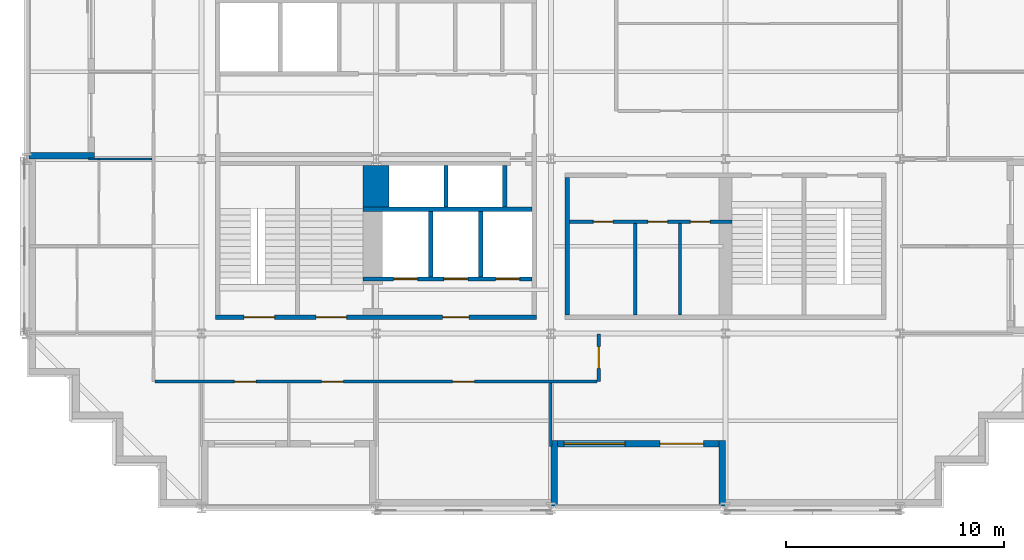
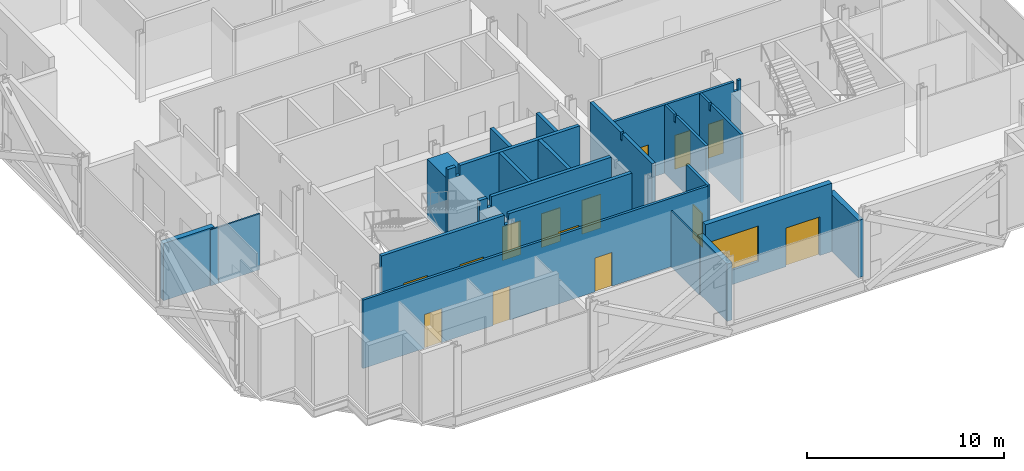
# One storey, part 6 of 14: 21 walls, 14 doors, 1 window, 15 openings.
"""IFC4 building model written with IfcOpenShell, lengths in metres."""

from ifc_helpers import new_model, si_unit, direction, frame, frame_2d, origin, place, context, subcontext, project, spatial, polyline, rectangle, outline, extrude, material, layer, layer_set, type_object, element, fill, save


model = new_model("IFC4")

# Units and contexts
model_context = context("Model", 3, precision=1e-05, world=origin(), true_north=direction((0.0, 1.0)))
body_context = subcontext(model_context, "Body", "Model", "MODEL_VIEW")
ifc_project = project(units=[si_unit("LENGTHUNIT", "METRE"), si_unit("AREAUNIT", "SQUARE_METRE"), si_unit("VOLUMEUNIT", "CUBIC_METRE"), si_unit("PLANEANGLEUNIT", "RADIAN"), si_unit("MASSUNIT", "GRAM", prefix="KILO")], contexts=[model_context])

# Site, building, storey
site_placement = place(None, origin())
site = spatial("IfcSite", under=ifc_project, at=site_placement, CompositionType="ELEMENT")
building_placement = place(site_placement, origin())
building = spatial("IfcBuilding", under=site, at=building_placement, Name="Immortelle Media Tower", CompositionType="ELEMENT")
storey_placement = place(building_placement, frame((0.0, 0.0, 96.39990234375)))
storey = spatial("IfcBuildingStorey", under=building, at=storey_placement, Name="L18", CompositionType="ELEMENT", Elevation=96.39990234375)

# Wall, openings, doors
ifc_material_1 = material(Name="Fire-rated gypsum board", Category="gypsum")
ifc_layer_1 = layer(ifc_material_1, 0.02490234375)
ifc_material_2 = material(Name="Steel ASTM A653 SS Gr 50 stud frame with mineral wool", Category="steel")
ifc_layer_2 = layer(ifc_material_2, 0.10009765625)
ifc_layer_3 = layer(ifc_material_1, 0.02490234375)
ifc_layer_set_1 = layer_set([ifc_layer_1, ifc_layer_2, ifc_layer_3], Name="Steel ASTM A653 SS Gr 50 stud frame with mineral wool")
wall_type_1 = type_object("IfcWallType", Name="Core partition 150", PredefinedType="PARTITIONING", material=ifc_layer_set_1)
wall_1_placement = place(storey_placement, frame((24.85009765625, 13.125, 0.0), z_axis=(0.0, 0.0, 1.0), x_axis=(1.0, 0.0, 0.0)))
wall_1 = element("IfcWall", 1, at=wall_1_placement, inside=storey, type_object=wall_type_1, Name="Core partition SE", PredefinedType="PARTITIONING", context=body_context, shape_type="SweptSolid", body=[
    extrude(outline(polyline([(0.0, 0.0), (7.449951171875, 0.0), (7.449951171875, 4.25), (7.26953125, 4.25), (7.2685546875, 3.632080078125), (7.031494140625, 3.632080078125), (7.030517578125, 4.25), (0.0, 4.25), (0.0, 0.0)])), frame((0.0, 0.074951171875, 0.0), z_axis=(0.0, -1.0, 0.0), x_axis=(1.0, 0.0, 0.0)), (0.0, 0.0, 1.0), 0.14990234375),
])
opening_1_placement = place(wall_1_placement, frame((2.0, 0.0, 0.0), z_axis=(0.0, 0.0, 1.0), x_axis=(-1.0, 0.0, 0.0)))
opening_1 = element("IfcOpeningElement", 2, at=opening_1_placement, cuts=wall_1, Name="Opening N6-K015", PredefinedType="OPENING", context=body_context, shape_type="SweptSolid", body=[
    extrude(rectangle(XDim=0.89990234375, YDim=2.10009765625, at=frame_2d((0.449951171875, 1.050048828125))), frame((0.0, 0.0849609375, 0.0), z_axis=(0.0, -1.0, 0.0), x_axis=(1.0, 0.0, 0.0)), (0.0, 0.0, 1.0), 0.169921875),
])
opening_2_placement = place(wall_1_placement, frame((4.5, 0.0, 0.0), z_axis=(0.0, 0.0, 1.0), x_axis=(-1.0, 0.0, 0.0)))
opening_2 = element("IfcOpeningElement", 3, at=opening_2_placement, cuts=wall_1, Name="Opening N6-K017", PredefinedType="OPENING", context=body_context, shape_type="SweptSolid", body=[
    extrude(rectangle(XDim=0.89990234375, YDim=2.10009765625, at=frame_2d((0.449951171875, 1.050048828125))), frame((0.0, 0.0849609375, 0.0), z_axis=(0.0, -1.0, 0.0), x_axis=(1.0, 0.0, 0.0)), (0.0, 0.0, 1.0), 0.169921875),
])
opening_3_placement = place(wall_1_placement, frame((6.449951171875, 0.0, 0.0), z_axis=(0.0, 0.0, 1.0), x_axis=(-1.0, 0.0, 0.0)))
opening_3 = element("IfcOpeningElement", 4, at=opening_3_placement, cuts=wall_1, Name="Opening N6-K018", PredefinedType="OPENING", context=body_context, shape_type="SweptSolid", body=[
    extrude(rectangle(XDim=0.89990234375, YDim=2.10009765625, at=frame_2d((0.449951171875, 1.050048828125))), frame((0.0, 0.0849609375, 0.0), z_axis=(0.0, -1.0, 0.0), x_axis=(1.0, 0.0, 0.0)), (0.0, 0.0, 1.0), 0.169921875),
])
ifc_material_3 = material(Name="Timber", Category="wood")
door_type_1 = type_object("IfcDoorType", Name="Room door 900 x 2100", OperationType="NOTDEFINED", PredefinedType="NOTDEFINED", material=ifc_material_3)
door_1_placement = place(opening_1_placement, origin())
door_1 = element("IfcDoor", 5, at=door_1_placement, inside=storey, type_object=door_type_1, Name="Room N6-K015", OperationType="SINGLE_SWING_LEFT", OverallHeight=2.10009765625, OverallWidth=0.89990234375, PredefinedType="NOTDEFINED", context=body_context, shape_type="SweptSolid", body=[
    extrude(rectangle(XDim=0.89990234375, YDim=2.10009765625, at=frame_2d((0.449951171875, 1.050048828125))), frame((0.0, 0.02490234375, 0.0), z_axis=(0.0, -1.0, 0.0), x_axis=(1.0, 0.0, 0.0)), (0.0, 0.0, 1.0), 0.050048828125),
])
fill(opening_1, door_1)
door_2_placement = place(opening_2_placement, origin())
door_2 = element("IfcDoor", 6, at=door_2_placement, inside=storey, type_object=door_type_1, Name="Room N6-K017", OperationType="SINGLE_SWING_RIGHT", OverallHeight=2.10009765625, OverallWidth=0.89990234375, PredefinedType="NOTDEFINED", context=body_context, shape_type="SweptSolid", body=[
    extrude(rectangle(XDim=0.89990234375, YDim=2.10009765625, at=frame_2d((0.449951171875, 1.050048828125))), frame((0.0, 0.02490234375, 0.0), z_axis=(0.0, -1.0, 0.0), x_axis=(1.0, 0.0, 0.0)), (0.0, 0.0, 1.0), 0.050048828125),
])
fill(opening_2, door_2)
ifc_material_4 = material(Name="Galvanised steel door leaf and frame ASTM A653", Category="steel")
door_type_2 = type_object("IfcDoorType", Name="Service door 900 x 2100", OperationType="NOTDEFINED", PredefinedType="NOTDEFINED", material=ifc_material_4)
door_3_placement = place(opening_3_placement, origin())
door_3 = element("IfcDoor", 7, at=door_3_placement, inside=storey, type_object=door_type_2, Name="Service N6-K018", OperationType="SINGLE_SWING_LEFT", OverallHeight=2.10009765625, OverallWidth=0.89990234375, PredefinedType="NOTDEFINED", context=body_context, shape_type="SweptSolid", body=[
    extrude(rectangle(XDim=0.89990234375, YDim=2.10009765625, at=frame_2d((0.449951171875, 1.050048828125))), frame((0.0, 0.02490234375, 0.0), z_axis=(0.0, -1.0, 0.0), x_axis=(1.0, 0.0, 0.0)), (0.0, 0.0, 1.0), 0.050048828125),
])
fill(opening_3, door_3)

# Walls
for number, where, z_axis, x_axis, name in (
    (8, (27.875, 8.85009765625, 0.0), (0.0, 0.0, 1.0), (0.0, 1.0, 0.0), "Core partition SE"),
    (9, (29.925048828125, 8.85009765625, 0.0), (0.0, 0.0, 1.0), (0.0, 1.0, 0.0), "Core partition SE"),
):
    element("IfcWall", number, at=place(storey_placement, frame(where, z_axis=z_axis, x_axis=x_axis)), inside=storey, type_object=wall_type_1, Name=name, PredefinedType="PARTITIONING", context=body_context, shape_type="SweptSolid", body=[
        extrude(outline(polyline([(0.0, 0.0), (4.199951171875, 0.0), (4.199951171875, 4.25), (3.2314453125, 4.25), (3.23046875, 3.7890625), (3.069580078125, 3.7890625), (3.068603515625, 4.25), (0.0, 4.25), (0.0, 0.0)])), frame((0.0, 0.074951171875, 0.0), z_axis=(0.0, -1.0, 0.0), x_axis=(1.0, 0.0, 0.0)), (0.0, 0.0, 1.0), 0.14990234375),
    ])

# Wall, openings, doors
ifc_layer_4 = layer(ifc_material_1, 0.03759765625)
ifc_layer_5 = layer(ifc_material_2, 0.125)
ifc_layer_6 = layer(ifc_material_1, 0.03759765625)
ifc_layer_set_2 = layer_set([ifc_layer_4, ifc_layer_5, ifc_layer_6], Name="Steel ASTM A653 SS Gr 50 stud frame with mineral wool")
wall_type_2 = type_object("IfcWallType", Name="Core shaft wall 200", PredefinedType="PARTITIONING", material=ifc_layer_set_2)
wall_2_placement = place(storey_placement, frame((15.39990234375, 10.5, 0.0), z_axis=(0.0, 0.0, 1.0), x_axis=(1.0, 0.0, 0.0)))
wall_2 = element("IfcWall", 10, at=wall_2_placement, inside=storey, type_object=wall_type_2, Name="Core shaft wall SW", PredefinedType="PARTITIONING", context=body_context, shape_type="SweptSolid", body=[
    extrude(outline(polyline([(0.0, 0.0), (7.75, 0.0), (7.75, 4.25), (0.719482421875, 4.25), (0.718505859375, 3.632080078125), (0.4814453125, 3.632080078125), (0.48046875, 4.25), (0.0, 4.25), (0.0, 0.0)])), frame((0.0, 0.10009765625, 0.0), z_axis=(0.0, -1.0, 0.0), x_axis=(1.0, 0.0, 0.0)), (0.0, 0.0, 1.0), 0.199951171875),
])
opening_4_placement = place(wall_2_placement, frame((1.39990234375, 0.0, 0.0)))
opening_4 = element("IfcOpeningElement", 11, at=opening_4_placement, cuts=wall_2, Name="Opening LD", PredefinedType="OPENING", context=body_context, shape_type="SweptSolid", body=[
    extrude(rectangle(XDim=1.10009765625, YDim=2.10009765625, at=frame_2d((0.550048828125, 1.050048828125))), frame((0.0, 0.10986328125, 0.0), z_axis=(0.0, -1.0, 0.0), x_axis=(1.0, 0.0, 0.0)), (0.0, 0.0, 1.0), 0.219970703125),
])
opening_5_placement = place(wall_2_placement, frame((3.699951171875, 0.0, 0.0)))
opening_5 = element("IfcOpeningElement", 12, at=opening_5_placement, cuts=wall_2, Name="Opening LD", PredefinedType="OPENING", context=body_context, shape_type="SweptSolid", body=[
    extrude(rectangle(XDim=1.10009765625, YDim=2.10009765625, at=frame_2d((0.550048828125, 1.050048828125))), frame((0.0, 0.10986328125, 0.0), z_axis=(0.0, -1.0, 0.0), x_axis=(1.0, 0.0, 0.0)), (0.0, 0.0, 1.0), 0.219970703125),
])
opening_6_placement = place(wall_2_placement, frame((6.074951171875, 0.0, 0.0)))
opening_6 = element("IfcOpeningElement", 13, at=opening_6_placement, cuts=wall_2, Name="Opening LD", PredefinedType="OPENING", context=body_context, shape_type="SweptSolid", body=[
    extrude(rectangle(XDim=1.10009765625, YDim=2.10009765625, at=frame_2d((0.550048828125, 1.050048828125))), frame((0.0, 0.10986328125, 0.0), z_axis=(0.0, -1.0, 0.0), x_axis=(1.0, 0.0, 0.0)), (0.0, 0.0, 1.0), 0.219970703125),
])
ifc_material_5 = material(Name="Stainless steel AISI 304", Category="steel")
door_type_3 = type_object("IfcDoorType", Name="Landing door 1100 x 2100", OperationType="SLIDING_TO_LEFT", PredefinedType="NOTDEFINED", material=ifc_material_5)
door_4_placement = place(opening_4_placement, origin())
door_4 = element("IfcDoor", 14, at=door_4_placement, inside=storey, type_object=door_type_3, Name="Landing door FF1 L18", OperationType="SLIDING_TO_LEFT", OverallHeight=2.10009765625, OverallWidth=1.10009765625, PredefinedType="NOTDEFINED", context=body_context, shape_type="SweptSolid", body=[
    extrude(rectangle(XDim=1.10009765625, YDim=2.10009765625, at=frame_2d((0.550048828125, 1.050048828125))), frame((0.0, 0.02490234375, 0.0), z_axis=(0.0, -1.0, 0.0), x_axis=(1.0, 0.0, 0.0)), (0.0, 0.0, 1.0), 0.050048828125),
])
fill(opening_4, door_4)
door_5_placement = place(opening_5_placement, origin())
door_5 = element("IfcDoor", 15, at=door_5_placement, inside=storey, type_object=door_type_3, Name="Landing door FF2 L18", OperationType="SLIDING_TO_LEFT", OverallHeight=2.10009765625, OverallWidth=1.10009765625, PredefinedType="NOTDEFINED", context=body_context, shape_type="SweptSolid", body=[
    extrude(rectangle(XDim=1.10009765625, YDim=2.10009765625, at=frame_2d((0.550048828125, 1.050048828125))), frame((0.0, 0.02490234375, 0.0), z_axis=(0.0, -1.0, 0.0), x_axis=(1.0, 0.0, 0.0)), (0.0, 0.0, 1.0), 0.050048828125),
])
fill(opening_5, door_5)
door_6_placement = place(opening_6_placement, origin())
door_6 = element("IfcDoor", 16, at=door_6_placement, inside=storey, type_object=door_type_3, Name="Landing door FF3 L18", OperationType="SLIDING_TO_LEFT", OverallHeight=2.10009765625, OverallWidth=1.10009765625, PredefinedType="NOTDEFINED", context=body_context, shape_type="SweptSolid", body=[
    extrude(rectangle(XDim=1.10009765625, YDim=2.10009765625, at=frame_2d((0.550048828125, 1.050048828125))), frame((0.0, 0.02490234375, 0.0), z_axis=(0.0, -1.0, 0.0), x_axis=(1.0, 0.0, 0.0)), (0.0, 0.0, 1.0), 0.050048828125),
])
fill(opening_6, door_6)

# Walls
wall_3_placement = place(storey_placement, frame((15.39990234375, 13.699951171875, 0.0), z_axis=(0.0, 0.0, 1.0), x_axis=(1.0, 0.0, 0.0)))
element("IfcWall", 17, at=wall_3_placement, inside=storey, type_object=wall_type_2, Name="Core shaft wall SW", PredefinedType="PARTITIONING", context=body_context, shape_type="SweptSolid", body=[
    extrude(outline(polyline([(0.0, 0.0), (7.75, 0.0), (7.75, 4.25), (0.719482421875, 4.25), (0.718505859375, 3.632080078125), (0.4814453125, 3.632080078125), (0.48046875, 4.25), (0.0, 4.25), (0.0, 0.0)])), frame((0.0, 0.10009765625, 0.0), z_axis=(0.0, -1.0, 0.0), x_axis=(1.0, 0.0, 0.0)), (0.0, 0.0, 1.0), 0.199951171875),
])
wall_4_placement = place(storey_placement, frame((18.5, 10.60009765625, 0.0), z_axis=(0.0, 0.0, 1.0), x_axis=(0.0, 1.0, 0.0)))
element("IfcWall", 18, at=wall_4_placement, inside=storey, type_object=wall_type_2, Name="Core shaft wall SW", PredefinedType="PARTITIONING", context=body_context, shape_type="SweptSolid", body=[
    extrude(rectangle(XDim=3.0, YDim=0.199951171875, at=frame_2d((1.5, 0.0))), origin(), (0.0, 0.0, 1.0), 4.25),
])
wall_5_placement = place(storey_placement, frame((19.199951171875, 13.800048828125, 0.0), z_axis=(0.0, 0.0, 1.0), x_axis=(0.0, 1.0, 0.0)))
element("IfcWall", 19, at=wall_5_placement, inside=storey, type_object=wall_type_2, Name="Core shaft wall SW", PredefinedType="PARTITIONING", context=body_context, shape_type="SweptSolid", body=[
    extrude(rectangle(XDim=1.89990234375, YDim=0.199951171875, at=frame_2d((0.949951171875, 0.0))), origin(), (0.0, 0.0, 1.0), 4.25),
])
wall_6_placement = place(storey_placement, frame((20.800048828125, 10.60009765625, 0.0), z_axis=(0.0, 0.0, 1.0), x_axis=(0.0, 1.0, 0.0)))
element("IfcWall", 20, at=wall_6_placement, inside=storey, type_object=wall_type_2, Name="Core shaft wall SW", PredefinedType="PARTITIONING", context=body_context, shape_type="SweptSolid", body=[
    extrude(rectangle(XDim=3.0, YDim=0.199951171875, at=frame_2d((1.5, 0.0))), origin(), (0.0, 0.0, 1.0), 4.25),
])
wall_7_placement = place(storey_placement, frame((21.89990234375, 13.800048828125, 0.0), z_axis=(0.0, 0.0, 1.0), x_axis=(0.0, 1.0, 0.0)))
element("IfcWall", 21, at=wall_7_placement, inside=storey, type_object=wall_type_2, Name="Core shaft wall SW", PredefinedType="PARTITIONING", context=body_context, shape_type="SweptSolid", body=[
    extrude(rectangle(XDim=1.89990234375, YDim=0.199951171875, at=frame_2d((0.949951171875, 0.0))), origin(), (0.0, 0.0, 1.0), 4.25),
])
wall_8_placement = place(storey_placement, frame((24.75, 8.85009765625, 0.0), z_axis=(0.0, 0.0, 1.0), x_axis=(0.0, 1.0, 0.0)))
element("IfcWall", 22, at=wall_8_placement, inside=storey, type_object=wall_type_2, Name="Core shaft wall SE", PredefinedType="PARTITIONING", context=body_context, shape_type="SweptSolid", body=[
    extrude(outline(polyline([(0.0, 0.0), (6.2998046875, 0.0), (6.300048828125, 4.25), (3.2314453125, 4.25), (3.23046875, 3.7890625), (3.069580078125, 3.7890625), (3.068603515625, 4.25), (0.0, 4.25), (0.0, 0.0)])), frame((0.0, 0.10009765625, 0.0), z_axis=(0.0, -1.0, 0.0), x_axis=(1.0, 0.0, 0.0)), (0.0, 0.0, 1.0), 0.199951171875),
])

# Wall, openings, doors
ifc_layer_7 = layer(ifc_material_1, 0.012451171875)
ifc_layer_8 = layer(ifc_material_2, 0.125)
ifc_layer_9 = layer(ifc_material_1, 0.012451171875)
ifc_layer_set_3 = layer_set([ifc_layer_7, ifc_layer_8, ifc_layer_9], Name="Steel ASTM A653 SS Gr 50 stud frame with mineral wool")
wall_type_3 = type_object("IfcWallType", Name="Corridor wall 150", PredefinedType="PARTITIONING", material=ifc_layer_set_3)
wall_9_placement = place(storey_placement, frame((5.875, 5.800048828125, 0.0), z_axis=(0.0, 0.0, 1.0), x_axis=(1.0, 0.0, 0.0)))
wall_9 = element("IfcWall", 23, at=wall_9_placement, inside=storey, type_object=wall_type_3, Name="Partition L18-005", PredefinedType="PARTITIONING", context=body_context, shape_type="SweptSolid", body=[
    extrude(rectangle(XDim=20.25, YDim=0.14990234375, at=frame_2d((10.125, 0.0))), origin(), (0.0, 0.0, 1.0), 4.25),
])
opening_7_placement = place(wall_9_placement, frame((14.625, 0.0, 0.0), z_axis=(0.0, 0.0, 1.0), x_axis=(-1.0, 0.0, 0.0)))
opening_7 = element("IfcOpeningElement", 24, at=opening_7_placement, cuts=wall_9, Name="Opening N6-F001", PredefinedType="OPENING", context=body_context, shape_type="SweptSolid", body=[
    extrude(rectangle(XDim=1.0, YDim=2.10009765625, at=frame_2d((0.5, 1.050048828125))), frame((0.0, 0.0849609375, 0.0), z_axis=(0.0, -1.0, 0.0), x_axis=(1.0, 0.0, 0.0)), (0.0, 0.0, 1.0), 0.169921875),
])
opening_8_placement = place(wall_9_placement, frame((4.625, 0.0, 0.0), z_axis=(0.0, 0.0, 1.0), x_axis=(-1.0, 0.0, 0.0)))
opening_8 = element("IfcOpeningElement", 25, at=opening_8_placement, cuts=wall_9, Name="Opening N6-F002", PredefinedType="OPENING", context=body_context, shape_type="SweptSolid", body=[
    extrude(rectangle(XDim=1.0, YDim=2.10009765625, at=frame_2d((0.5, 1.050048828125))), frame((0.0, 0.0849609375, 0.0), z_axis=(0.0, -1.0, 0.0), x_axis=(1.0, 0.0, 0.0)), (0.0, 0.0, 1.0), 0.169921875),
])
opening_9_placement = place(wall_9_placement, frame((8.625, 0.0, 0.0), z_axis=(0.0, 0.0, 1.0), x_axis=(-1.0, 0.0, 0.0)))
opening_9 = element("IfcOpeningElement", 26, at=opening_9_placement, cuts=wall_9, Name="Opening N6-F003", PredefinedType="OPENING", context=body_context, shape_type="SweptSolid", body=[
    extrude(rectangle(XDim=1.0, YDim=2.10009765625, at=frame_2d((0.5, 1.050048828125))), frame((0.0, 0.0849609375, 0.0), z_axis=(0.0, -1.0, 0.0), x_axis=(1.0, 0.0, 0.0)), (0.0, 0.0, 1.0), 0.169921875),
])
ifc_material_6 = material(Name="Timber veneered door leaf, galvanised steel frame ASTM A653", Category="steel")
door_type_4 = type_object("IfcDoorType", Name="Room door 1000 x 2100", OperationType="NOTDEFINED", PredefinedType="DOOR", material=ifc_material_6)
door_7_placement = place(opening_7_placement, origin())
door_7 = element("IfcDoor", 27, at=door_7_placement, inside=storey, type_object=door_type_4, Name="Door N6-F001", OperationType="SINGLE_SWING_LEFT", OverallHeight=2.10009765625, OverallWidth=1.0, PredefinedType="DOOR", context=body_context, shape_type="SweptSolid", body=[
    extrude(rectangle(XDim=1.0, YDim=2.10009765625, at=frame_2d((0.5, 1.050048828125))), frame((0.0, 0.02490234375, 0.0), z_axis=(0.0, -1.0, 0.0), x_axis=(1.0, 0.0, 0.0)), (0.0, 0.0, 1.0), 0.050048828125),
])
fill(opening_7, door_7)
door_8_placement = place(opening_8_placement, origin())
door_8 = element("IfcDoor", 28, at=door_8_placement, inside=storey, type_object=door_type_4, Name="Door N6-F002", OperationType="SINGLE_SWING_LEFT", OverallHeight=2.10009765625, OverallWidth=1.0, PredefinedType="DOOR", context=body_context, shape_type="SweptSolid", body=[
    extrude(rectangle(XDim=1.0, YDim=2.10009765625, at=frame_2d((0.5, 1.050048828125))), frame((0.0, 0.02490234375, 0.0), z_axis=(0.0, -1.0, 0.0), x_axis=(1.0, 0.0, 0.0)), (0.0, 0.0, 1.0), 0.050048828125),
])
fill(opening_8, door_8)
door_9_placement = place(opening_9_placement, origin())
door_9 = element("IfcDoor", 29, at=door_9_placement, inside=storey, type_object=door_type_4, Name="Door N6-F003", OperationType="SINGLE_SWING_LEFT", OverallHeight=2.10009765625, OverallWidth=1.0, PredefinedType="DOOR", context=body_context, shape_type="SweptSolid", body=[
    extrude(rectangle(XDim=1.0, YDim=2.10009765625, at=frame_2d((0.5, 1.050048828125))), frame((0.0, 0.02490234375, 0.0), z_axis=(0.0, -1.0, 0.0), x_axis=(1.0, 0.0, 0.0)), (0.0, 0.0, 1.0), 0.050048828125),
])
fill(opening_9, door_9)

# Wall, opening, door
wall_10_placement = place(storey_placement, frame((26.199951171875, 5.800048828125, 0.0), z_axis=(0.0, 0.0, 1.0), x_axis=(0.0, 1.0, 0.0)))
wall_10 = element("IfcWall", 30, at=wall_10_placement, inside=storey, type_object=wall_type_3, Name="Partition L18-007", PredefinedType="PARTITIONING", context=body_context, shape_type="SweptSolid", body=[
    extrude(rectangle(XDim=2.169921875, YDim=0.14990234375, at=frame_2d((1.0849609375, 0.0))), origin(), (0.0, 0.0, 1.0), 4.25),
])
opening_10_placement = place(wall_10_placement, frame((1.60009765625, 0.0, 0.0), z_axis=(0.0, 0.0, 1.0), x_axis=(-1.0, 0.0, 0.0)))
opening_10 = element("IfcOpeningElement", 31, at=opening_10_placement, cuts=wall_10, Name="Opening N6-F004", PredefinedType="OPENING", context=body_context, shape_type="SweptSolid", body=[
    extrude(rectangle(XDim=1.0, YDim=2.10009765625, at=frame_2d((0.5, 1.050048828125))), frame((0.0, 0.0849609375, 0.0), z_axis=(0.0, -1.0, 0.0), x_axis=(1.0, 0.0, 0.0)), (0.0, 0.0, 1.0), 0.169921875),
])
door_10_placement = place(opening_10_placement, origin())
door_10 = element("IfcDoor", 32, at=door_10_placement, inside=storey, type_object=door_type_4, Name="Door N6-F004", OperationType="SINGLE_SWING_LEFT", OverallHeight=2.10009765625, OverallWidth=1.0, PredefinedType="DOOR", context=body_context, shape_type="SweptSolid", body=[
    extrude(rectangle(XDim=1.0, YDim=2.10009765625, at=frame_2d((0.5, 1.050048828125))), frame((0.0, 0.02490234375, 0.0), z_axis=(0.0, -1.0, 0.0), x_axis=(1.0, 0.0, 0.0)), (0.0, 0.0, 1.0), 0.050048828125),
])
fill(opening_10, door_10)

# Wall
ifc_material_7 = material(Name="Pale aluminium cladding panel", Category="aluminium")
ifc_layer_10 = layer(ifc_material_7, 0.030029296875)
ifc_layer_11 = layer(ifc_material_2, 0.257568359375)
ifc_material_8 = material(Name="Moisture-resistant gypsum board", Category="gypsum")
ifc_layer_12 = layer(ifc_material_8, 0.012451171875)
ifc_layer_set_4 = layer_set([ifc_layer_10, ifc_layer_11, ifc_layer_12], Name="Steel ASTM A653 SS Gr 50 stud frame with mineral wool")
wall_type_4 = type_object("IfcWallType", Name="Facade wall 300", PredefinedType="SOLIDWALL", material=ifc_layer_set_4)
wall_11_placement = place(storey_placement, frame((0.10009765625, 16.14990234375, 0.0), z_axis=(0.0, 0.0, 1.0), x_axis=(1.0, 0.0, 0.0)))
element("IfcWall", 33, at=wall_11_placement, inside=storey, type_object=wall_type_4, Name="Loggia cheek wall L18 W", PredefinedType="SOLIDWALL", context=body_context, shape_type="SweptSolid", body=[
    extrude(rectangle(XDim=3.0, YDim=0.300048828125, at=frame_2d((1.5, 0.0))), origin(), (0.0, 0.0, 1.0), 3.55615234375),
])

# Wall, openings, door, window
wall_12_placement = place(storey_placement, frame((24.300048828125, 2.949951171875, 0.0), z_axis=(0.0, 0.0, 1.0), x_axis=(1.0, 0.0, 0.0)))
wall_12 = element("IfcWall", 34, at=wall_12_placement, inside=storey, type_object=wall_type_4, Name="Loggia wall L18 S7", PredefinedType="SOLIDWALL", context=body_context, shape_type="SweptSolid", body=[
    extrude(rectangle(XDim=7.39990234375, YDim=0.300048828125, at=frame_2d((3.699951171875, 0.0))), origin(), (0.0, 0.0, 1.0), 4.25),
])
opening_11_placement = place(wall_12_placement, frame((0.300048828125, 0.0, 0.89990234375)))
opening_11 = element("IfcOpeningElement", 35, at=opening_11_placement, cuts=wall_12, Name="Opening W1", PredefinedType="OPENING", context=body_context, shape_type="SweptSolid", body=[
    extrude(rectangle(XDim=2.800048828125, YDim=2.199951171875, at=frame_2d((1.39990234375, 1.10009765625))), frame((0.0, 0.159912109375, 0.0), z_axis=(0.0, -1.0, 0.0), x_axis=(1.0, 0.0, 0.0)), (0.0, 0.0, 1.0), 0.320068359375),
])
opening_12_placement = place(wall_12_placement, frame((4.699951171875, 0.0, 0.0)))
opening_12 = element("IfcOpeningElement", 36, at=opening_12_placement, cuts=wall_12, Name="Opening N6-E004", PredefinedType="OPENING", context=body_context, shape_type="SweptSolid", body=[
    extrude(rectangle(XDim=2.0, YDim=2.39990234375, at=frame_2d((1.0, 1.199951171875))), frame((0.0, 0.159912109375, 0.0), z_axis=(0.0, -1.0, 0.0), x_axis=(1.0, 0.0, 0.0)), (0.0, 0.0, 1.0), 0.320068359375),
])
ifc_material_9 = material(Name="Aluminium frame, glazed leaves", Category="aluminium")
door_type_5 = type_object("IfcDoorType", Name="Loggia door 2000 x 2400", OperationType="DOUBLE_DOOR_SINGLE_SWING", PredefinedType="DOOR", material=ifc_material_9)
door_11_placement = place(opening_12_placement, origin())
door_11 = element("IfcDoor", 37, at=door_11_placement, inside=storey, type_object=door_type_5, Name="Door N6-E004", OperationType="DOUBLE_DOOR_SINGLE_SWING", OverallHeight=2.39990234375, OverallWidth=2.0, PredefinedType="DOOR", context=body_context, shape_type="SweptSolid", body=[
    extrude(rectangle(XDim=2.0, YDim=2.39990234375, at=frame_2d((1.0, 1.199951171875))), frame((0.0, 0.02490234375, 0.0), z_axis=(0.0, -1.0, 0.0), x_axis=(1.0, 0.0, 0.0)), (0.0, 0.0, 1.0), 0.050048828125),
])
fill(opening_12, door_11)
ifc_material_10 = material(Name="Aluminium frame", Category="aluminium")
window_type = type_object("IfcWindowType", Name="Window 2800 x 2200", PartitioningType="SINGLE_PANEL", PredefinedType="WINDOW", material=ifc_material_10)
window_placement = place(opening_11_placement, origin())
window = element("IfcWindow", 38, at=window_placement, inside=storey, type_object=window_type, Name="Window L18 L18-R7-B2", OverallHeight=2.199951171875, OverallWidth=2.800048828125, PartitioningType="SINGLE_PANEL", PredefinedType="WINDOW", context=body_context, shape_type="SweptSolid", body=[
    extrude(rectangle(XDim=2.800048828125, YDim=2.199951171875, at=frame_2d((1.39990234375, 1.10009765625))), frame((0.0, 0.030029296875, 0.0), z_axis=(0.0, -1.0, 0.0), x_axis=(1.0, 0.0, 0.0)), (0.0, 0.0, 1.0), 0.06005859375),
])
fill(opening_11, window)

# Walls
for number, where, z_axis, x_axis, name in (
    (39, (24.14990234375, 0.10009765625, 0.0), (0.0, 0.0, 1.0), (0.0, 1.0, 0.0), "Loggia cheek wall L18 S"),
    (40, (31.85009765625, 0.10009765625, 0.0), (0.0, 0.0, 1.0), (0.0, 1.0, 0.0), "Loggia cheek wall L18 S"),
):
    element("IfcWall", number, at=place(storey_placement, frame(where, z_axis=z_axis, x_axis=x_axis)), inside=storey, type_object=wall_type_4, Name=name, PredefinedType="SOLIDWALL", context=body_context, shape_type="SweptSolid", body=[
        extrude(rectangle(XDim=3.0, YDim=0.300048828125, at=frame_2d((1.5, 0.0))), origin(), (0.0, 0.0, 1.0), 3.55615234375),
    ])
ifc_material_11 = material(Name="Gypsum board", Category="gypsum")
ifc_layer_13 = layer(ifc_material_11, 0.012451171875)
ifc_layer_14 = layer(ifc_material_2, 0.074951171875)
ifc_layer_15 = layer(ifc_material_11, 0.012451171875)
ifc_layer_set_5 = layer_set([ifc_layer_13, ifc_layer_14, ifc_layer_15], Name="Steel ASTM A653 SS Gr 50 stud frame with mineral wool")
wall_type_5 = type_object("IfcWallType", Name="Partition 100", PredefinedType="PARTITIONING", material=ifc_layer_set_5)
wall_13_placement = place(storey_placement, frame((24.0, 2.830078125, 0.0), z_axis=(0.0, 0.0, 1.0), x_axis=(0.0, 1.0, 0.0)))
element("IfcWall", 41, at=wall_13_placement, inside=storey, type_object=wall_type_5, Name="Partition L18-004", PredefinedType="PARTITIONING", context=body_context, shape_type="SweptSolid", body=[
    extrude(rectangle(XDim=2.89501953125, YDim=0.10009765625, at=frame_2d((1.447509765625, 0.0))), origin(), (0.0, 0.0, 1.0), 3.47021484375),
])
wall_14_placement = place(storey_placement, frame((2.830078125, 16.0, 0.0), z_axis=(0.0, 0.0, 1.0), x_axis=(1.0, 0.0, 0.0)))
element("IfcWall", 42, at=wall_14_placement, inside=storey, type_object=wall_type_5, Name="Partition L18-017", PredefinedType="PARTITIONING", context=body_context, shape_type="SweptSolid", body=[
    extrude(rectangle(XDim=0.469970703125, YDim=0.10009765625, at=frame_2d((0.23486328125, 0.0))), origin(), (0.0, 0.0, 1.0), 3.47021484375),
])
wall_15_placement = place(storey_placement, frame((3.300048828125, 16.0, 0.0), z_axis=(0.0, 0.0, 1.0), x_axis=(1.0, 0.0, 0.0)))
element("IfcWall", 43, at=wall_15_placement, inside=storey, type_object=wall_type_5, Name="Partition L18-018", PredefinedType="PARTITIONING", context=body_context, shape_type="SweptSolid", body=[
    extrude(rectangle(XDim=2.425048828125, YDim=0.10009765625, at=frame_2d((1.21240234375, 0.0))), origin(), (0.0, 0.0, 1.0), 3.47021484375),
])
ifc_material_12 = material(Name="Concrete C60", Category="concrete")
ifc_layer_16 = layer(ifc_material_12, 1.199951171875)
ifc_layer_set_6 = layer_set([ifc_layer_16], Name="Concrete C60")
wall_type_6 = type_object("IfcWallType", Name="Stair shaft wall 1200", PredefinedType="PARTITIONING", material=ifc_layer_set_6)
wall_16_placement = place(storey_placement, frame((16.0, 13.800048828125, 0.0), z_axis=(0.0, 0.0, 1.0), x_axis=(0.0, 1.0, 0.0)))
element("IfcWall", 44, at=wall_16_placement, inside=storey, type_object=wall_type_6, Name="Stair shaft wall SW", PredefinedType="PARTITIONING", context=body_context, shape_type="SweptSolid", body=[
    extrude(rectangle(XDim=1.89990234375, YDim=1.199951171875, at=frame_2d((0.949951171875, 0.0))), origin(), (0.0, 0.0, 1.0), 3.632080078125),
])

# Wall, openings, doors
ifc_layer_17 = layer(ifc_material_12, 0.199951171875)
ifc_layer_set_7 = layer_set([ifc_layer_17], Name="Concrete C60")
wall_type_7 = type_object("IfcWallType", Name="Stair shaft wall 200", PredefinedType="PARTITIONING", material=ifc_layer_set_7)
wall_17_placement = place(storey_placement, frame((8.64990234375, 8.75, 0.0), z_axis=(0.0, 0.0, 1.0), x_axis=(1.0, 0.0, 0.0)))
wall_17 = element("IfcWall", 45, at=wall_17_placement, inside=storey, type_object=wall_type_7, Name="Stair shaft wall SW", PredefinedType="PARTITIONING", context=body_context, shape_type="SweptSolid", body=[
    extrude(outline(polyline([(0.0, 0.0), (14.7001953125, 0.0), (14.699951171875, 4.25), (7.469482421875, 4.25), (7.468505859375, 3.632080078125), (7.2314453125, 3.632080078125), (7.23046875, 4.25), (0.0, 4.25), (0.0, 0.0)])), frame((0.0, 0.10009765625, 0.0), z_axis=(0.0, -1.0, 0.0), x_axis=(1.0, 0.0, 0.0)), (0.0, 0.0, 1.0), 0.199951171875),
])
opening_13_placement = place(wall_17_placement, frame((1.300048828125, 0.0, 0.0)))
opening_13 = element("IfcOpeningElement", 46, at=opening_13_placement, cuts=wall_17, Name="Opening N6-K002", PredefinedType="OPENING", context=body_context, shape_type="SweptSolid", body=[
    extrude(rectangle(XDim=1.39990234375, YDim=2.10009765625, at=frame_2d((0.699951171875, 1.050048828125))), frame((0.0, 0.10986328125, 0.0), z_axis=(0.0, -1.0, 0.0), x_axis=(1.0, 0.0, 0.0)), (0.0, 0.0, 1.0), 0.219970703125),
])
opening_14_placement = place(wall_17_placement, frame((4.60009765625, 0.0, 0.0)))
opening_14 = element("IfcOpeningElement", 47, at=opening_14_placement, cuts=wall_17, Name="Opening N6-K003", PredefinedType="OPENING", context=body_context, shape_type="SweptSolid", body=[
    extrude(rectangle(XDim=1.39990234375, YDim=2.10009765625, at=frame_2d((0.699951171875, 1.050048828125))), frame((0.0, 0.10986328125, 0.0), z_axis=(0.0, -1.0, 0.0), x_axis=(1.0, 0.0, 0.0)), (0.0, 0.0, 1.0), 0.219970703125),
])
opening_15_placement = place(wall_17_placement, frame((10.39990234375, 0.0, 0.0)))
opening_15 = element("IfcOpeningElement", 48, at=opening_15_placement, cuts=wall_17, Name="Opening N6-K008", PredefinedType="OPENING", context=body_context, shape_type="SweptSolid", body=[
    extrude(rectangle(XDim=1.199951171875, YDim=2.10009765625, at=frame_2d((0.60009765625, 1.050048828125))), frame((0.0, 0.10986328125, 0.0), z_axis=(0.0, -1.0, 0.0), x_axis=(1.0, 0.0, 0.0)), (0.0, 0.0, 1.0), 0.219970703125),
])
door_type_6 = type_object("IfcDoorType", Name="Fire-fighting lobby door 1200 x 2100", OperationType="NOTDEFINED", PredefinedType="NOTDEFINED", material=ifc_material_4)
door_12_placement = place(opening_15_placement, origin())
door_12 = element("IfcDoor", 49, at=door_12_placement, inside=storey, type_object=door_type_6, Name="Fire-fighting lobby N6-K008", OperationType="SINGLE_SWING_LEFT", OverallHeight=2.10009765625, OverallWidth=1.199951171875, PredefinedType="NOTDEFINED", context=body_context, shape_type="SweptSolid", body=[
    extrude(rectangle(XDim=1.199951171875, YDim=2.10009765625, at=frame_2d((0.60009765625, 1.050048828125))), frame((0.0, 0.02490234375, 0.0), z_axis=(0.0, -1.0, 0.0), x_axis=(1.0, 0.0, 0.0)), (0.0, 0.0, 1.0), 0.050048828125),
])
fill(opening_15, door_12)
door_type_7 = type_object("IfcDoorType", Name="Stair door 1400 x 2100", OperationType="DOUBLE_DOOR_SINGLE_SWING", PredefinedType="NOTDEFINED", material=ifc_material_4)
door_13_placement = place(opening_13_placement, origin())
door_13 = element("IfcDoor", 50, at=door_13_placement, inside=storey, type_object=door_type_7, Name="Stair N6-K002", OperationType="DOUBLE_DOOR_SINGLE_SWING", OverallHeight=2.10009765625, OverallWidth=1.39990234375, PredefinedType="NOTDEFINED", context=body_context, shape_type="SweptSolid", body=[
    extrude(rectangle(XDim=1.39990234375, YDim=2.10009765625, at=frame_2d((0.699951171875, 1.050048828125))), frame((0.0, 0.02490234375, 0.0), z_axis=(0.0, -1.0, 0.0), x_axis=(1.0, 0.0, 0.0)), (0.0, 0.0, 1.0), 0.050048828125),
])
fill(opening_13, door_13)
door_14_placement = place(opening_14_placement, origin())
door_14 = element("IfcDoor", 51, at=door_14_placement, inside=storey, type_object=door_type_7, Name="Stair N6-K003", OperationType="DOUBLE_DOOR_SINGLE_SWING", OverallHeight=2.10009765625, OverallWidth=1.39990234375, PredefinedType="NOTDEFINED", context=body_context, shape_type="SweptSolid", body=[
    extrude(rectangle(XDim=1.39990234375, YDim=2.10009765625, at=frame_2d((0.699951171875, 1.050048828125))), frame((0.0, 0.02490234375, 0.0), z_axis=(0.0, -1.0, 0.0), x_axis=(1.0, 0.0, 0.0)), (0.0, 0.0, 1.0), 0.050048828125),
])
fill(opening_14, door_14)

save(model, "model.ifc")
